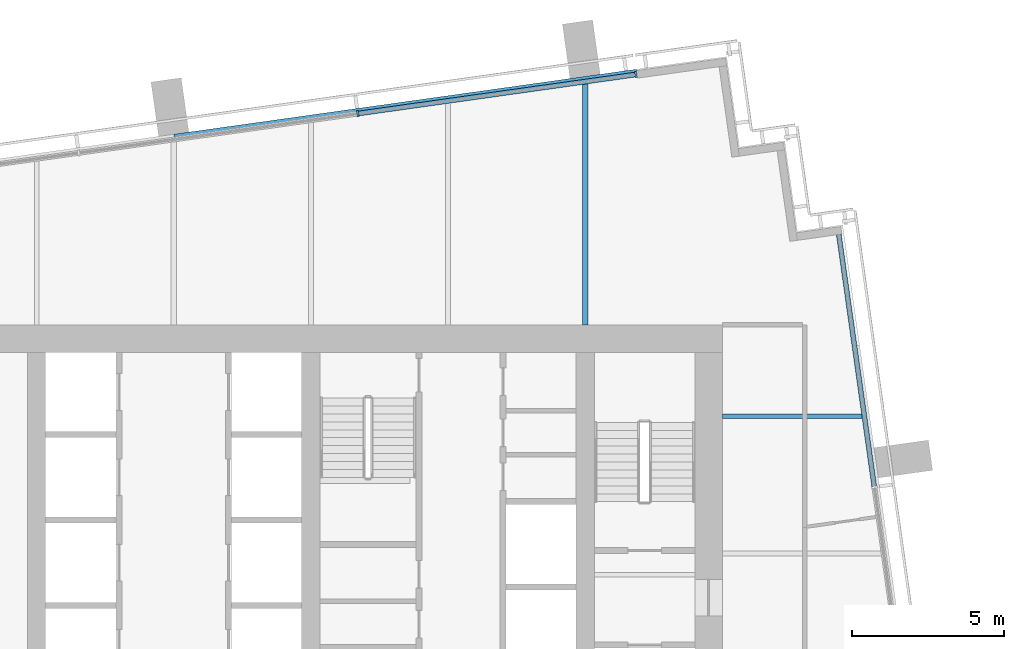
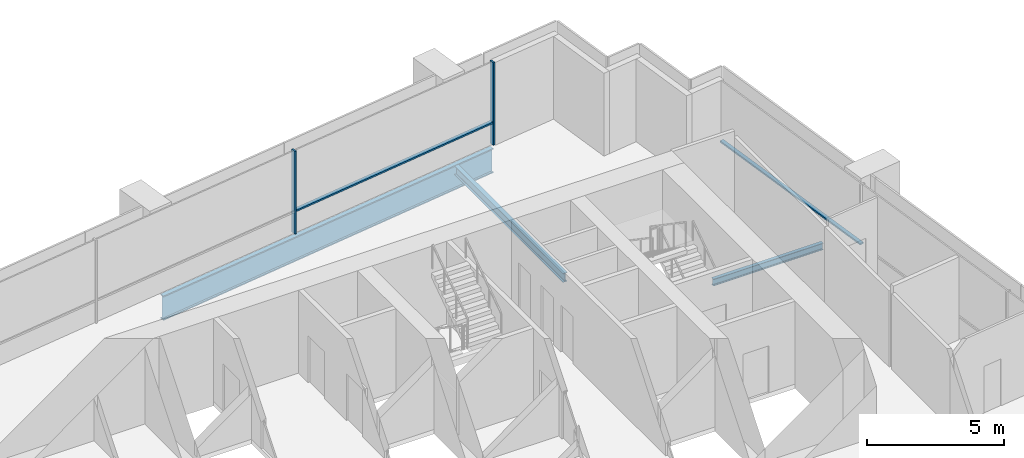
# One storey, part 6 of 15: 4 members, 3 beams, 2 elements without a shape of their own.
"""IFC4 building model written with IfcOpenShell, lengths in metres."""

from ifc_helpers import new_model, si_unit, direction, frame, origin, origin_2d, place, context, subcontext, project, spatial, rectangle, i_section, extrude, material, layer, layer_set, material_profile, profile_set, type_object, element, aggregate, save


model = new_model("IFC4")

# Units and contexts
model_context = context("Model", 3, precision=1e-05, world=origin(), true_north=direction((0.0, 1.0)))
body_context = subcontext(model_context, "Body", "Model", "MODEL_VIEW")
ifc_project = project(units=[si_unit("LENGTHUNIT", "METRE"), si_unit("AREAUNIT", "SQUARE_METRE"), si_unit("VOLUMEUNIT", "CUBIC_METRE"), si_unit("PLANEANGLEUNIT", "RADIAN"), si_unit("MASSUNIT", "GRAM", prefix="KILO")], contexts=[model_context])

# Site, building, storey
site_placement = place(None, origin())
site = spatial("IfcSite", under=ifc_project, at=site_placement, CompositionType="ELEMENT")
building_placement = place(site_placement, origin())
building = spatial("IfcBuilding", under=site, at=building_placement, Name="Rattan Terrace Tower", CompositionType="ELEMENT")
storey_placement = place(building_placement, frame((0.0, 0.0, 274.60009765625)))
storey = spatial("IfcBuildingStorey", under=building, at=storey_placement, Name="L63", CompositionType="ELEMENT", Elevation=274.60009765625)

# Beams
ifc_material_1 = material(Name="Steel S460", Category="steel")
ifc_material_profile_1 = material_profile(ifc_material_1, i_section(OverallWidth=0.179931640625, OverallDepth=1.10009765625, WebThickness=0.01611328125, FlangeThickness=0.050048828125, at=origin_2d()), Name="PG 1100x180-16-50")
ifc_profile_set_1 = profile_set([ifc_material_profile_1], Name="Steel S460")
beam_type_1 = type_object("IfcBeamType", Name="Frame edge girder PG 1100x180-16-50", PredefinedType="SPANDREL", material=ifc_profile_set_1)
beam_1_placement = place(storey_placement, frame((15.18896484375, 15.801025390625, -0.75), z_axis=(-0.99026622182, -0.139186241857, 0.0), x_axis=(0.139186241857, -0.99026622182, 0.0)))
element("IfcBeam", 1, at=beam_1_placement, inside=storey, type_object=beam_type_1, Name="gdr-L63-006", PredefinedType="SPANDREL", context=body_context, shape_type="SweptSolid", body=[
    extrude(i_section(OverallWidth=0.179931640625, OverallDepth=1.10009765625, WebThickness=0.01611328125, FlangeThickness=0.050048828125, at=origin_2d()), origin(), (0.0, 0.0, 1.0), 15.3251953125),
])
ifc_material_2 = material(Name="Steel S355", Category="steel")
ifc_material_profile_2 = material_profile(ifc_material_2, i_section(OverallWidth=0.14990234375, OverallDepth=0.300048828125, WebThickness=0.007080078125, FlangeThickness=0.0107421875, FilletRadius=0.014892578125, at=origin_2d()), Name="IPE 300")
ifc_profile_set_2 = profile_set([ifc_material_profile_2], Name="Steel S355")
beam_type_2 = type_object("IfcBeamType", Name="Frame floor beam IPE 300", PredefinedType="JOIST", material=ifc_profile_set_2)
beam_2_placement = place(storey_placement, frame((18.0, 4.5, -0.35009765625), z_axis=(1.0, 0.0, 0.0), x_axis=(0.0, 1.0, 0.0)))
element("IfcBeam", 2, at=beam_2_placement, inside=storey, type_object=beam_type_2, Name="bm-L63-014", PredefinedType="JOIST", context=body_context, shape_type="SweptSolid", body=[
    extrude(i_section(OverallWidth=0.14990234375, OverallDepth=0.300048828125, WebThickness=0.007080078125, FlangeThickness=0.0107421875, FilletRadius=0.014892578125, at=origin_2d()), origin(), (0.0, 0.0, 1.0), 4.64404296875),
])
ifc_material_3 = material(Name="Steel S355", Category="steel")
ifc_material_profile_3 = material_profile(ifc_material_3, i_section(OverallWidth=0.179931640625, OverallDepth=0.39990234375, WebThickness=0.008544921875, FlangeThickness=0.013427734375, FilletRadius=0.02099609375, at=origin_2d()), Name="IPE 400")
ifc_profile_set_3 = profile_set([ifc_material_profile_3], Name="Steel S355")
beam_type_3 = type_object("IfcBeamType", Name="Frame floor beam IPE 400", PredefinedType="JOIST", material=ifc_profile_set_3)
beam_3_placement = place(storey_placement, frame((13.5, 7.5, -0.400146484375), z_axis=(0.0, 1.0, 0.0), x_axis=(-1.0, 0.0, 0.0)))
element("IfcBeam", 3, at=beam_3_placement, inside=storey, type_object=beam_type_3, Name="bm-L63-021", PredefinedType="JOIST", context=body_context, shape_type="SweptSolid", body=[
    extrude(i_section(OverallWidth=0.179931640625, OverallDepth=0.39990234375, WebThickness=0.008544921875, FlangeThickness=0.013427734375, FilletRadius=0.02099609375, at=origin_2d()), origin(), (0.0, 0.0, 1.0), 7.9599609375),
])

# Curtain wall, members
ifc_material_4 = material(Name="Aluminium and laminated glass", Category="aluminium")
ifc_layer = layer(ifc_material_4, 0.199951171875)
ifc_layer_set = layer_set([ifc_layer], Name="High-Zone Unitised Curtain Wall")
curtain_wall_type = type_object("IfcCurtainWallType", Name="High-Zone Unitised Curtain Wall", PredefinedType="NOTDEFINED", material=ifc_layer_set)
curtain_wall_1_placement = place(storey_placement, origin())
curtain_wall_1 = element("IfcCurtainWall", 4, at=curtain_wall_1_placement, inside=storey, type_object=curtain_wall_type, Name="High-zone curtain wall L63-2", PredefinedType="NOTDEFINED")
ifc_material_5 = material(Name="Aluminium", Category="aluminium")
ifc_material_profile_4 = material_profile(ifc_material_5, rectangle(XDim=0.070068359375, YDim=0.199951171875, at=origin_2d()), Name="Aluminium 70x200")
ifc_profile_set_4 = profile_set([ifc_material_profile_4], Name="Aluminium")
member_type_1 = type_object("IfcMemberType", Name="High-Zone CW Mullion 70x200", PredefinedType="MULLION", material=ifc_profile_set_4)
member_1_placement = place(storey_placement, frame((15.1650390625, 15.716796875, 0.0), z_axis=(0.0, 0.0, 1.0), x_axis=(-0.990265894013, -0.139188574079, 0.0)))
member_1 = element("IfcMember", 5, at=member_1_placement, type_object=member_type_1, Name="Mullion cwl-L63-002.1", PredefinedType="MULLION", context=body_context, shape_type="SweptSolid", body=[
    extrude(rectangle(XDim=0.070068359375, YDim=0.199951171875, at=origin_2d()), origin(), (0.0, 0.0, 1.0), 3.699951171875),
])
member_2_placement = place(storey_placement, frame((6.040771484375, 14.434326171875, 0.0), z_axis=(0.0, 0.0, 1.0), x_axis=(-0.990265894013, -0.139188574079, 0.0)))
member_2 = element("IfcMember", 6, at=member_2_placement, type_object=member_type_1, Name="Mullion cwl-L63-002.2", PredefinedType="MULLION", context=body_context, shape_type="SweptSolid", body=[
    extrude(rectangle(XDim=0.070068359375, YDim=0.199951171875, at=origin_2d()), origin(), (0.0, 0.0, 1.0), 3.699951171875),
])

# Curtain wall, member
curtain_wall_2_placement = place(storey_placement, origin())
curtain_wall_2 = element("IfcCurtainWall", 7, at=curtain_wall_2_placement, inside=storey, type_object=curtain_wall_type, Name="High-zone curtain wall L63-1", PredefinedType="NOTDEFINED")
ifc_material_6 = material(Name="Aluminium", Category="aluminium")
ifc_material_profile_5 = material_profile(ifc_material_6, rectangle(XDim=0.159912109375, YDim=0.070068359375, at=origin_2d()), Name="Aluminium 160x70")
ifc_profile_set_5 = profile_set([ifc_material_profile_5], Name="Aluminium")
member_type_2 = type_object("IfcMemberType", Name="High-Zone CW Transom 160x70", PredefinedType="USERDEFINED", material=ifc_profile_set_5)
member_3_placement = place(storey_placement, frame((22.985107421875, 2.212158203125, 1.0), z_axis=(-0.139198740199, 0.990264465043, 0.0), x_axis=(-0.990264465043, -0.139198740199, 0.0)))
member_3 = element("IfcMember", 8, at=member_3_placement, type_object=member_type_2, Name="Transom cwl-L63-001.3", ObjectType="TRANSOM", PredefinedType="USERDEFINED", context=body_context, shape_type="SweptSolid", body=[
    extrude(rectangle(XDim=0.159912109375, YDim=0.070068359375, at=origin_2d()), origin(), (0.0, 0.0, 1.0), 8.336181640625),
])
aggregate(curtain_wall_2, [member_3])

# Member
member_4_placement = place(storey_placement, frame((15.13037109375, 15.7119140625, 1.0), z_axis=(-0.990266298783, -0.139185694291, 0.0), x_axis=(0.139185694291, -0.990266298783, 0.0)))
member_4 = element("IfcMember", 9, at=member_4_placement, type_object=member_type_2, Name="Transom cwl-L63-002.1", ObjectType="TRANSOM", PredefinedType="USERDEFINED", context=body_context, shape_type="SweptSolid", body=[
    extrude(rectangle(XDim=0.159912109375, YDim=0.070068359375, at=origin_2d()), origin(), (0.0, 0.0, 1.0), 9.14404296875),
])

aggregate(curtain_wall_1, [member_1, member_2, member_4])

save(model, "model.ifc")
